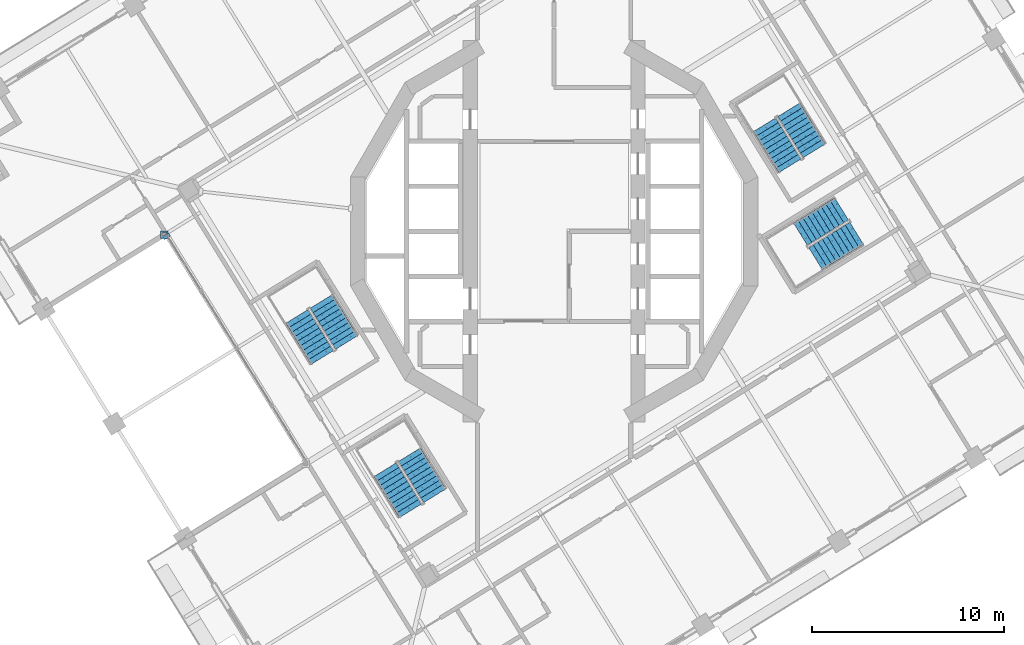
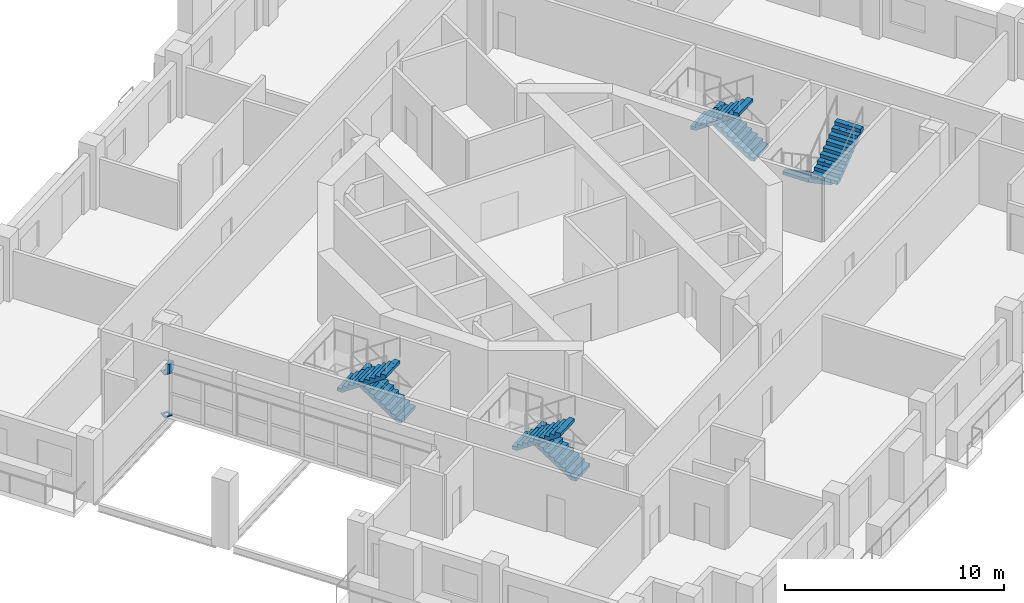
# One storey, part 11 of 20: 8 stair flights, 3 discrete accessories, 4 elements without a shape of their own.
"""IFC4 building model written with IfcOpenShell, lengths in metres."""

import ifcopenshell
import ifcopenshell.guid

model = None  # the IFC model being written
_history = None  # IfcOwnerHistory: only IFC2X3 demands one
_inside = {}  # id of a spatial element -> (the spatial element, [elements in it])
_under = {}  # id of a project, library or spatial element -> (it, [spatial elements below it])
_declared = {}  # id of a project -> (the project, [libraries it declares])
_typed = {}  # id of a type object -> (the type object, [elements of that type])
_made_of = {}  # id of a material, layer set ... -> (it, [elements and type objects made of it])


def new_model(schema):
    """Start an empty IFC model of exactly this schema.

    Asked for "IFC4X3", IfcOpenShell would pick the latest addendum, in which some entities
    have other attributes; the version numbers below select the first issue.
    IFC2X3 requires an IfcOwnerHistory on every rooted entity: one is made here for all.
    """
    global model, _history
    if schema == "IFC4X3":
        model = ifcopenshell.file(schema_version=(4, 3, 0, 0))
    else:
        model = ifcopenshell.file(schema=schema)
    _inside.clear()
    _under.clear()
    _declared.clear()
    _typed.clear()
    _made_of.clear()
    _history = None
    if model.schema == "IFC2X3":
        org = make("IfcOrganization", Name="unknown")
        user = make(
            "IfcPersonAndOrganization",
            ThePerson=make("IfcPerson", FamilyName="unknown"),
            TheOrganization=org,
        )
        app = make(
            "IfcApplication",
            ApplicationDeveloper=org,
            Version="unknown",
            ApplicationFullName="unknown",
            ApplicationIdentifier="unknown",
        )
        _history = make(
            "IfcOwnerHistory",
            OwningUser=user,
            OwningApplication=app,
            ChangeAction="ADDED",
            CreationDate=0,
        )
    return model


def make(cls, **values):
    """One entity of the class cls with the attributes given. An attribute that is None is left unset."""
    return model.create_entity(
        cls, **{name: value for name, value in values.items() if value is not None}
    )


def rooted(cls, **values):
    """An entity with a GlobalId (a new one), such as an element, a storey or a relation."""
    return make(cls, GlobalId=ifcopenshell.guid.new(), OwnerHistory=_history, **values)


def si_unit(unit_type, name, prefix=None):
    """IfcSIUnit, for example si_unit("LENGTHUNIT", "METRE", prefix="MILLI")."""
    return make("IfcSIUnit", UnitType=unit_type, Prefix=prefix, Name=name)


def assignment(units):
    """IfcUnitAssignment: the units of a project."""
    return None if units is None else make("IfcUnitAssignment", Units=units)


def point(xyz):
    """IfcCartesianPoint."""
    return None if xyz is None else make("IfcCartesianPoint", Coordinates=xyz)


def direction(xyz):
    """IfcDirection."""
    return None if xyz is None else make("IfcDirection", DirectionRatios=xyz)


def frame(location, z_axis=None, x_axis=None):
    """IfcAxis2Placement3D, a coordinate frame: its origin and axes. An axis left out is left unset."""
    return make(
        "IfcAxis2Placement3D",
        Location=point(location),
        Axis=direction(z_axis),
        RefDirection=direction(x_axis),
    )


def origin():
    """The frame at (0, 0, 0) with its axes left unset."""
    return frame((0.0, 0.0, 0.0))


def place(relative_to, where):
    """IfcLocalPlacement: puts the frame where relative to a parent placement (None: the world)."""
    return make(
        "IfcLocalPlacement", PlacementRelTo=relative_to, RelativePlacement=where
    )


def context(
    kind, dimensions, precision=None, world=None, true_north=None, identifier=None
):
    """IfcGeometricRepresentationContext, for example the 3D "Model" context."""
    return make(
        "IfcGeometricRepresentationContext",
        ContextIdentifier=identifier,
        ContextType=kind,
        CoordinateSpaceDimension=dimensions,
        Precision=precision,
        WorldCoordinateSystem=world,
        TrueNorth=true_north,
    )


def subcontext(parent, identifier, kind, view, scale=None):
    """IfcGeometricRepresentationSubContext, for example "Body" below "Model"."""
    return make(
        "IfcGeometricRepresentationSubContext",
        ContextIdentifier=identifier,
        ContextType=kind,
        ParentContext=parent,
        TargetScale=scale,
        TargetView=view,
    )


def project(units=None, contexts=None):
    """IfcProject with its units and contexts."""
    return rooted(
        "IfcProject",
        Name="project",
        RepresentationContexts=contexts,
        UnitsInContext=assignment(units),
    )


def spatial(cls, under=None, at=None, **own):
    """A site, building, storey or space (cls), placed at a placement, below another one or the project."""
    s = rooted(cls, ObjectPlacement=at, **own)
    if under is not None:
        _under.setdefault(under.id(), (under, []))[1].append(s)
    return s


def polyline(points):
    """IfcPolyline through the points."""
    return make("IfcPolyline", Points=[point(p) for p in points])


def outline(outer, holes=None, kind="AREA"):
    """IfcArbitraryClosedProfileDef: a profile drawn as a closed curve; with holes, ...WithVoids."""
    if holes is None:
        return make("IfcArbitraryClosedProfileDef", ProfileType=kind, OuterCurve=outer)
    return make(
        "IfcArbitraryProfileDefWithVoids",
        ProfileType=kind,
        OuterCurve=outer,
        InnerCurves=holes,
    )


def extrude(swept, where, along, depth):
    """IfcExtrudedAreaSolid: the profile swept, set in the frame where, extruded along a direction by depth."""
    return make(
        "IfcExtrudedAreaSolid",
        SweptArea=swept,
        Position=where,
        ExtrudedDirection=direction(along),
        Depth=depth,
    )


def shape(context_of_items, identifier, shape_type, items):
    """IfcShapeRepresentation: the items that make up one representation, for example the "Body"."""
    return make(
        "IfcShapeRepresentation",
        ContextOfItems=context_of_items,
        RepresentationIdentifier=identifier,
        RepresentationType=shape_type,
        Items=items,
    )


def material(Name=None, Category=None):
    """IfcMaterial."""
    return make("IfcMaterial", Name=Name, Category=Category)


def layer(
    of_material, thickness, ventilated=None, Name=None, Category=None, Priority=None
):
    """IfcMaterialLayer: one layer of a wall or slab, of a material (None: an air gap)."""
    return make(
        "IfcMaterialLayer",
        Material=of_material,
        LayerThickness=thickness,
        IsVentilated=ventilated,
        Name=Name,
        Category=Category,
        Priority=Priority,
    )


def layer_set(layers, Name=None):
    """IfcMaterialLayerSet."""
    return make("IfcMaterialLayerSet", MaterialLayers=layers, LayerSetName=Name)


def made_of(thing, what):
    """Note that an element or type object is made of a material, layer set ...; save() writes the relation."""
    if what is not None:
        _made_of.setdefault(what.id(), (what, []))[1].append(thing)
    return thing


def type_object(cls, material=None, **own):
    """A type object (cls), such as IfcWallType, which elements share."""
    return made_of(rooted(cls, **own), material)


def element(
    cls,
    number,
    at=None,
    inside=None,
    cuts=None,
    type_object=None,
    material=None,
    context=None,
    identifier="Body",
    shape_type=None,
    held_by="IfcProductDefinitionShape",
    body=None,
    shapes=None,
    **own,
):
    """One element of the class cls, such as IfcWall. Its Tag is "e" and its number.

    at: its placement. inside: the storey or other place that contains it. cuts: it is an
    opening in that element (IfcRelVoidsElement). A single representation is given by context,
    identifier, shape_type and body (its items); several are given by shapes. held_by: the class
    of the entity that holds the representations. save() writes the other relations.
    """
    e = rooted(cls, Tag="e%d" % number, ObjectPlacement=at, **own)
    if body is not None:
        shapes = [shape(context, identifier, shape_type, body)]
    if shapes is not None:
        e.Representation = make(held_by, Representations=shapes)
    if inside is not None:
        _inside.setdefault(inside.id(), (inside, []))[1].append(e)
    if cuts is not None:
        rooted(
            "IfcRelVoidsElement", RelatingBuildingElement=cuts, RelatedOpeningElement=e
        )
    if type_object is not None:
        _typed.setdefault(type_object.id(), (type_object, []))[1].append(e)
    return made_of(e, material)


def aggregate(whole, parts):
    """IfcRelAggregates: a whole, such as a stair, and the parts it consists of."""
    return rooted("IfcRelAggregates", RelatingObject=whole, RelatedObjects=parts)


def save(model, path):
    """Write the relations noted so far, then the file.

    IfcRelAggregates (storeys below a building ...), IfcRelContainedInSpatialStructure (elements
    in a storey), IfcRelDefinesByType, IfcRelAssociatesMaterial and IfcRelDeclares: one each for
    every whole, place, type object, material and project.
    """
    for whole, parts in _under.values():
        aggregate(whole, parts)
    for where, things in _inside.values():
        rooted(
            "IfcRelContainedInSpatialStructure",
            RelatedElements=things,
            RelatingStructure=where,
        )
    for kind, things in _typed.values():
        rooted("IfcRelDefinesByType", RelatedObjects=things, RelatingType=kind)
    for what, things in _made_of.values():
        rooted("IfcRelAssociatesMaterial", RelatedObjects=things, RelatingMaterial=what)
    for by, libraries in _declared.values():
        rooted("IfcRelDeclares", RelatingContext=by, RelatedDefinitions=libraries)
    model.write(path)


model = new_model("IFC4")

# Units and contexts
model_context = context("Model", 3, precision=1e-05, world=origin(), true_north=direction((0.0, 1.0)))
body_context = subcontext(model_context, "Body", "Model", "MODEL_VIEW")
ifc_project = project(units=[si_unit("LENGTHUNIT", "METRE"), si_unit("AREAUNIT", "SQUARE_METRE"), si_unit("VOLUMEUNIT", "CUBIC_METRE"), si_unit("PLANEANGLEUNIT", "RADIAN"), si_unit("MASSUNIT", "GRAM", prefix="KILO")], contexts=[model_context])

# Site, building, storey
site_placement = place(None, origin())
site = spatial("IfcSite", under=ifc_project, at=site_placement, CompositionType="ELEMENT")
building_placement = place(site_placement, origin())
building = spatial("IfcBuilding", under=site, at=building_placement, Name="Cantera Rosa Tower", CompositionType="ELEMENT")
storey_placement = place(building_placement, frame((0.0, 0.0, 155.199951171875)))
storey = spatial("IfcBuildingStorey", under=building, at=storey_placement, Name="L33", CompositionType="ELEMENT", Elevation=155.199951171875)

# Stair, stair flights
ifc_material_1 = material(Name="Concrete C35/45", Category="concrete")
stair_type = type_object("IfcStairType", Name="EXIT STAIR 1350 DOGLEG", PredefinedType="HALF_TURN_STAIR", material=ifc_material_1)
stair_1_placement = place(storey_placement, origin())
stair_1 = element("IfcStair", 1, at=stair_1_placement, inside=storey, type_object=stair_type, Name="L33 ST-31", PredefinedType="HALF_TURN_STAIR")
ifc_material_2 = material(Name="Concrete C35/45", Category="concrete")
stair_flight_type = type_object("IfcStairFlightType", Name="STAIR FLIGHT 1350 R20x190", PredefinedType="STRAIGHT", material=ifc_material_2)
stair_flight_1_placement = place(storey_placement, frame((13.5732421875, 4.2021484375, 0.0), z_axis=(0.0, 0.0, 1.0), x_axis=(-0.524976585286, 0.851116669383, 0.0)))
stair_flight_1 = element("IfcStairFlight", 2, at=stair_flight_1_placement, type_object=stair_flight_type, Name="ST-31 flight 1", NumberOfRisers=10, NumberOfTreads=9, PredefinedType="STRAIGHT", RiserHeight=0.19, TreadLength=0.28, context=body_context, shape_type="SweptSolid", body=[
    extrude(outline(polyline([(0.0, 0.0), (0.0, 0.18994140625), (0.280029296875, 0.18994140625), (0.280029296875, 0.3798828125), (0.56005859375, 0.3798828125), (0.56005859375, 0.570068359375), (0.840087890625, 0.570068359375), (0.840087890625, 0.760009765625), (1.1201171875, 0.760009765625), (1.1201171875, 0.949951171875), (1.39990234375, 0.949951171875), (1.39990234375, 1.139892578125), (1.679931640625, 1.139892578125), (1.679931640625, 1.330078125), (1.9599609375, 1.330078125), (1.9599609375, 1.52001953125), (2.239990234375, 1.52001953125), (2.239990234375, 1.7099609375), (2.52001953125, 1.7099609375), (2.52001953125, 1.89990234375), (2.52001953125, 1.52880859375), (0.266845703125, 0.0), (0.0, 0.0)])), frame((0.0, 0.675048828125, 0.0), z_axis=(0.0, -1.0, 0.0), x_axis=(1.0, 0.0, 0.0)), (0.0, 0.0, 1.0), 0.3359375),
    extrude(outline(polyline([(0.0, 0.0), (0.0, 0.18994140625), (0.280029296875, 0.18994140625), (0.280029296875, 0.3798828125), (0.56005859375, 0.3798828125), (0.56005859375, 0.570068359375), (0.840087890625, 0.570068359375), (0.840087890625, 0.760009765625), (1.1201171875, 0.760009765625), (1.1201171875, 0.949951171875), (1.39990234375, 0.949951171875), (1.39990234375, 1.139892578125), (1.679931640625, 1.139892578125), (1.679931640625, 1.330078125), (1.9599609375, 1.330078125), (1.9599609375, 1.52001953125), (2.239990234375, 1.52001953125), (2.239990234375, 1.7099609375), (2.52001953125, 1.7099609375), (2.52001953125, 1.89990234375), (2.52001953125, 1.52880859375), (0.266845703125, 0.0), (0.0, 0.0)])), frame((0.0, 0.337158203125, 0.0), z_axis=(0.0, -1.0, 0.0), x_axis=(1.0, 0.0, 0.0)), (0.0, 0.0, 1.0), 0.3359375),
    extrude(outline(polyline([(0.0, 0.0), (0.0, 0.18994140625), (0.280029296875, 0.18994140625), (0.280029296875, 0.3798828125), (0.56005859375, 0.3798828125), (0.56005859375, 0.570068359375), (0.840087890625, 0.570068359375), (0.840087890625, 0.760009765625), (1.1201171875, 0.760009765625), (1.1201171875, 0.949951171875), (1.39990234375, 0.949951171875), (1.39990234375, 1.139892578125), (1.679931640625, 1.139892578125), (1.679931640625, 1.330078125), (1.9599609375, 1.330078125), (1.9599609375, 1.52001953125), (2.239990234375, 1.52001953125), (2.239990234375, 1.7099609375), (2.52001953125, 1.7099609375), (2.52001953125, 1.89990234375), (2.52001953125, 1.52880859375), (0.266845703125, 0.0), (0.0, 0.0)])), frame((0.0, -0.000732421875, 0.0), z_axis=(0.0, -1.0, 0.0), x_axis=(1.0, 0.0, 0.0)), (0.0, 0.0, 1.0), 0.3359375),
    extrude(outline(polyline([(0.0, 0.0), (0.0, 0.18994140625), (0.280029296875, 0.18994140625), (0.280029296875, 0.3798828125), (0.56005859375, 0.3798828125), (0.56005859375, 0.570068359375), (0.840087890625, 0.570068359375), (0.840087890625, 0.760009765625), (1.1201171875, 0.760009765625), (1.1201171875, 0.949951171875), (1.39990234375, 0.949951171875), (1.39990234375, 1.139892578125), (1.679931640625, 1.139892578125), (1.679931640625, 1.330078125), (1.9599609375, 1.330078125), (1.9599609375, 1.52001953125), (2.239990234375, 1.52001953125), (2.239990234375, 1.7099609375), (2.52001953125, 1.7099609375), (2.52001953125, 1.89990234375), (2.52001953125, 1.52880859375), (0.266845703125, 0.0), (0.0, 0.0)])), frame((0.0, -0.338623046875, 0.0), z_axis=(0.0, -1.0, 0.0), x_axis=(1.0, 0.0, 0.0)), (0.0, 0.0, 1.0), 0.3359375),
])
stair_flight_2_placement = place(storey_placement, frame((10.9736328125, 5.5595703125, 1.900146484375), z_axis=(0.0, 0.0, 1.0), x_axis=(0.524976585286, -0.851116669383, 0.0)))
stair_flight_2 = element("IfcStairFlight", 3, at=stair_flight_2_placement, type_object=stair_flight_type, Name="ST-31 flight 2", NumberOfRisers=10, NumberOfTreads=9, PredefinedType="STRAIGHT", RiserHeight=0.19, TreadLength=0.28, context=body_context, shape_type="SweptSolid", body=[
    extrude(outline(polyline([(0.0, 0.0), (0.0, 0.18994140625), (0.280029296875, 0.18994140625), (0.280029296875, 0.3798828125), (0.56005859375, 0.3798828125), (0.56005859375, 0.570068359375), (0.840087890625, 0.570068359375), (0.840087890625, 0.760009765625), (1.1201171875, 0.760009765625), (1.1201171875, 0.949951171875), (1.39990234375, 0.949951171875), (1.39990234375, 1.139892578125), (1.679931640625, 1.139892578125), (1.679931640625, 1.330078125), (1.9599609375, 1.330078125), (1.9599609375, 1.52001953125), (2.239990234375, 1.52001953125), (2.239990234375, 1.7099609375), (2.52001953125, 1.7099609375), (2.52001953125, 1.89990234375), (2.52001953125, 1.52880859375), (0.266845703125, 0.0), (0.0, 0.0)])), frame((0.0, 0.675048828125, 0.0), z_axis=(0.0, -1.0, 0.0), x_axis=(1.0, 0.0, 0.0)), (0.0, 0.0, 1.0), 0.3359375),
    extrude(outline(polyline([(0.0, 0.0), (0.0, 0.18994140625), (0.280029296875, 0.18994140625), (0.280029296875, 0.3798828125), (0.56005859375, 0.3798828125), (0.56005859375, 0.570068359375), (0.840087890625, 0.570068359375), (0.840087890625, 0.760009765625), (1.1201171875, 0.760009765625), (1.1201171875, 0.949951171875), (1.39990234375, 0.949951171875), (1.39990234375, 1.139892578125), (1.679931640625, 1.139892578125), (1.679931640625, 1.330078125), (1.9599609375, 1.330078125), (1.9599609375, 1.52001953125), (2.239990234375, 1.52001953125), (2.239990234375, 1.7099609375), (2.52001953125, 1.7099609375), (2.52001953125, 1.89990234375), (2.52001953125, 1.52880859375), (0.266845703125, 0.0), (0.0, 0.0)])), frame((0.0, 0.337158203125, 0.0), z_axis=(0.0, -1.0, 0.0), x_axis=(1.0, 0.0, 0.0)), (0.0, 0.0, 1.0), 0.3359375),
    extrude(outline(polyline([(0.0, 0.0), (0.0, 0.18994140625), (0.280029296875, 0.18994140625), (0.280029296875, 0.3798828125), (0.56005859375, 0.3798828125), (0.56005859375, 0.570068359375), (0.840087890625, 0.570068359375), (0.840087890625, 0.760009765625), (1.1201171875, 0.760009765625), (1.1201171875, 0.949951171875), (1.39990234375, 0.949951171875), (1.39990234375, 1.139892578125), (1.679931640625, 1.139892578125), (1.679931640625, 1.330078125), (1.9599609375, 1.330078125), (1.9599609375, 1.52001953125), (2.239990234375, 1.52001953125), (2.239990234375, 1.7099609375), (2.52001953125, 1.7099609375), (2.52001953125, 1.89990234375), (2.52001953125, 1.52880859375), (0.266845703125, 0.0), (0.0, 0.0)])), frame((0.0, -0.000732421875, 0.0), z_axis=(0.0, -1.0, 0.0), x_axis=(1.0, 0.0, 0.0)), (0.0, 0.0, 1.0), 0.3359375),
    extrude(outline(polyline([(0.0, 0.0), (0.0, 0.18994140625), (0.280029296875, 0.18994140625), (0.280029296875, 0.3798828125), (0.56005859375, 0.3798828125), (0.56005859375, 0.570068359375), (0.840087890625, 0.570068359375), (0.840087890625, 0.760009765625), (1.1201171875, 0.760009765625), (1.1201171875, 0.949951171875), (1.39990234375, 0.949951171875), (1.39990234375, 1.139892578125), (1.679931640625, 1.139892578125), (1.679931640625, 1.330078125), (1.9599609375, 1.330078125), (1.9599609375, 1.52001953125), (2.239990234375, 1.52001953125), (2.239990234375, 1.7099609375), (2.52001953125, 1.7099609375), (2.52001953125, 1.89990234375), (2.52001953125, 1.52880859375), (0.266845703125, 0.0), (0.0, 0.0)])), frame((0.0, -0.338623046875, 0.0), z_axis=(0.0, -1.0, 0.0), x_axis=(1.0, 0.0, 0.0)), (0.0, 0.0, 1.0), 0.3359375),
])
aggregate(stair_1, [stair_flight_1, stair_flight_2])

stair_2_placement = place(storey_placement, origin())
stair_2 = element("IfcStair", 4, at=stair_2_placement, inside=storey, type_object=stair_type, Name="L33 ST-32", PredefinedType="HALF_TURN_STAIR")
stair_flight_3_placement = place(storey_placement, frame((-10.82666015625, -5.7978515625, 0.0), z_axis=(0.0, 0.0, 1.0), x_axis=(-0.524976585286, 0.851116669383, 0.0)))
stair_flight_3 = element("IfcStairFlight", 5, at=stair_flight_3_placement, type_object=stair_flight_type, Name="ST-32 flight 1", NumberOfRisers=10, NumberOfTreads=9, PredefinedType="STRAIGHT", RiserHeight=0.19, TreadLength=0.28, context=body_context, shape_type="SweptSolid", body=[
    extrude(outline(polyline([(0.0, 0.0), (0.0, 0.18994140625), (0.280029296875, 0.18994140625), (0.280029296875, 0.3798828125), (0.56005859375, 0.3798828125), (0.56005859375, 0.570068359375), (0.840087890625, 0.570068359375), (0.840087890625, 0.760009765625), (1.1201171875, 0.760009765625), (1.1201171875, 0.949951171875), (1.39990234375, 0.949951171875), (1.39990234375, 1.139892578125), (1.679931640625, 1.139892578125), (1.679931640625, 1.330078125), (1.9599609375, 1.330078125), (1.9599609375, 1.52001953125), (2.239990234375, 1.52001953125), (2.239990234375, 1.7099609375), (2.52001953125, 1.7099609375), (2.52001953125, 1.89990234375), (2.52001953125, 1.52880859375), (0.266845703125, 0.0), (0.0, 0.0)])), frame((0.0, 0.675048828125, 0.0), z_axis=(0.0, -1.0, 0.0), x_axis=(1.0, 0.0, 0.0)), (0.0, 0.0, 1.0), 0.3359375),
    extrude(outline(polyline([(0.0, 0.0), (0.0, 0.18994140625), (0.280029296875, 0.18994140625), (0.280029296875, 0.3798828125), (0.56005859375, 0.3798828125), (0.56005859375, 0.570068359375), (0.840087890625, 0.570068359375), (0.840087890625, 0.760009765625), (1.1201171875, 0.760009765625), (1.1201171875, 0.949951171875), (1.39990234375, 0.949951171875), (1.39990234375, 1.139892578125), (1.679931640625, 1.139892578125), (1.679931640625, 1.330078125), (1.9599609375, 1.330078125), (1.9599609375, 1.52001953125), (2.239990234375, 1.52001953125), (2.239990234375, 1.7099609375), (2.52001953125, 1.7099609375), (2.52001953125, 1.89990234375), (2.52001953125, 1.52880859375), (0.266845703125, 0.0), (0.0, 0.0)])), frame((0.0, 0.337158203125, 0.0), z_axis=(0.0, -1.0, 0.0), x_axis=(1.0, 0.0, 0.0)), (0.0, 0.0, 1.0), 0.3359375),
    extrude(outline(polyline([(0.0, 0.0), (0.0, 0.18994140625), (0.280029296875, 0.18994140625), (0.280029296875, 0.3798828125), (0.56005859375, 0.3798828125), (0.56005859375, 0.570068359375), (0.840087890625, 0.570068359375), (0.840087890625, 0.760009765625), (1.1201171875, 0.760009765625), (1.1201171875, 0.949951171875), (1.39990234375, 0.949951171875), (1.39990234375, 1.139892578125), (1.679931640625, 1.139892578125), (1.679931640625, 1.330078125), (1.9599609375, 1.330078125), (1.9599609375, 1.52001953125), (2.239990234375, 1.52001953125), (2.239990234375, 1.7099609375), (2.52001953125, 1.7099609375), (2.52001953125, 1.89990234375), (2.52001953125, 1.52880859375), (0.266845703125, 0.0), (0.0, 0.0)])), frame((0.0, -0.000732421875, 0.0), z_axis=(0.0, -1.0, 0.0), x_axis=(1.0, 0.0, 0.0)), (0.0, 0.0, 1.0), 0.3359375),
    extrude(outline(polyline([(0.0, 0.0), (0.0, 0.18994140625), (0.280029296875, 0.18994140625), (0.280029296875, 0.3798828125), (0.56005859375, 0.3798828125), (0.56005859375, 0.570068359375), (0.840087890625, 0.570068359375), (0.840087890625, 0.760009765625), (1.1201171875, 0.760009765625), (1.1201171875, 0.949951171875), (1.39990234375, 0.949951171875), (1.39990234375, 1.139892578125), (1.679931640625, 1.139892578125), (1.679931640625, 1.330078125), (1.9599609375, 1.330078125), (1.9599609375, 1.52001953125), (2.239990234375, 1.52001953125), (2.239990234375, 1.7099609375), (2.52001953125, 1.7099609375), (2.52001953125, 1.89990234375), (2.52001953125, 1.52880859375), (0.266845703125, 0.0), (0.0, 0.0)])), frame((0.0, -0.338623046875, 0.0), z_axis=(0.0, -1.0, 0.0), x_axis=(1.0, 0.0, 0.0)), (0.0, 0.0, 1.0), 0.3359375),
])
stair_flight_4_placement = place(storey_placement, frame((-13.42626953125, -4.4404296875, 1.900146484375), z_axis=(0.0, 0.0, 1.0), x_axis=(0.524976585286, -0.851116669383, 0.0)))
stair_flight_4 = element("IfcStairFlight", 6, at=stair_flight_4_placement, type_object=stair_flight_type, Name="ST-32 flight 2", NumberOfRisers=10, NumberOfTreads=9, PredefinedType="STRAIGHT", RiserHeight=0.19, TreadLength=0.28, context=body_context, shape_type="SweptSolid", body=[
    extrude(outline(polyline([(0.0, 0.0), (0.0, 0.18994140625), (0.280029296875, 0.18994140625), (0.280029296875, 0.3798828125), (0.56005859375, 0.3798828125), (0.56005859375, 0.570068359375), (0.840087890625, 0.570068359375), (0.840087890625, 0.760009765625), (1.1201171875, 0.760009765625), (1.1201171875, 0.949951171875), (1.39990234375, 0.949951171875), (1.39990234375, 1.139892578125), (1.679931640625, 1.139892578125), (1.679931640625, 1.330078125), (1.9599609375, 1.330078125), (1.9599609375, 1.52001953125), (2.239990234375, 1.52001953125), (2.239990234375, 1.7099609375), (2.52001953125, 1.7099609375), (2.52001953125, 1.89990234375), (2.52001953125, 1.52880859375), (0.266845703125, 0.0), (0.0, 0.0)])), frame((0.0, 0.675048828125, 0.0), z_axis=(0.0, -1.0, 0.0), x_axis=(1.0, 0.0, 0.0)), (0.0, 0.0, 1.0), 0.3359375),
    extrude(outline(polyline([(0.0, 0.0), (0.0, 0.18994140625), (0.280029296875, 0.18994140625), (0.280029296875, 0.3798828125), (0.56005859375, 0.3798828125), (0.56005859375, 0.570068359375), (0.840087890625, 0.570068359375), (0.840087890625, 0.760009765625), (1.1201171875, 0.760009765625), (1.1201171875, 0.949951171875), (1.39990234375, 0.949951171875), (1.39990234375, 1.139892578125), (1.679931640625, 1.139892578125), (1.679931640625, 1.330078125), (1.9599609375, 1.330078125), (1.9599609375, 1.52001953125), (2.239990234375, 1.52001953125), (2.239990234375, 1.7099609375), (2.52001953125, 1.7099609375), (2.52001953125, 1.89990234375), (2.52001953125, 1.52880859375), (0.266845703125, 0.0), (0.0, 0.0)])), frame((0.0, 0.337158203125, 0.0), z_axis=(0.0, -1.0, 0.0), x_axis=(1.0, 0.0, 0.0)), (0.0, 0.0, 1.0), 0.3359375),
    extrude(outline(polyline([(0.0, 0.0), (0.0, 0.18994140625), (0.280029296875, 0.18994140625), (0.280029296875, 0.3798828125), (0.56005859375, 0.3798828125), (0.56005859375, 0.570068359375), (0.840087890625, 0.570068359375), (0.840087890625, 0.760009765625), (1.1201171875, 0.760009765625), (1.1201171875, 0.949951171875), (1.39990234375, 0.949951171875), (1.39990234375, 1.139892578125), (1.679931640625, 1.139892578125), (1.679931640625, 1.330078125), (1.9599609375, 1.330078125), (1.9599609375, 1.52001953125), (2.239990234375, 1.52001953125), (2.239990234375, 1.7099609375), (2.52001953125, 1.7099609375), (2.52001953125, 1.89990234375), (2.52001953125, 1.52880859375), (0.266845703125, 0.0), (0.0, 0.0)])), frame((0.0, -0.000732421875, 0.0), z_axis=(0.0, -1.0, 0.0), x_axis=(1.0, 0.0, 0.0)), (0.0, 0.0, 1.0), 0.3359375),
    extrude(outline(polyline([(0.0, 0.0), (0.0, 0.18994140625), (0.280029296875, 0.18994140625), (0.280029296875, 0.3798828125), (0.56005859375, 0.3798828125), (0.56005859375, 0.570068359375), (0.840087890625, 0.570068359375), (0.840087890625, 0.760009765625), (1.1201171875, 0.760009765625), (1.1201171875, 0.949951171875), (1.39990234375, 0.949951171875), (1.39990234375, 1.139892578125), (1.679931640625, 1.139892578125), (1.679931640625, 1.330078125), (1.9599609375, 1.330078125), (1.9599609375, 1.52001953125), (2.239990234375, 1.52001953125), (2.239990234375, 1.7099609375), (2.52001953125, 1.7099609375), (2.52001953125, 1.89990234375), (2.52001953125, 1.52880859375), (0.266845703125, 0.0), (0.0, 0.0)])), frame((0.0, -0.338623046875, 0.0), z_axis=(0.0, -1.0, 0.0), x_axis=(1.0, 0.0, 0.0)), (0.0, 0.0, 1.0), 0.3359375),
])
aggregate(stair_2, [stair_flight_3, stair_flight_4])

stair_3_placement = place(storey_placement, origin())
stair_3 = element("IfcStair", 7, at=stair_3_placement, inside=storey, type_object=stair_type, Name="L33 ST-33", PredefinedType="HALF_TURN_STAIR")
stair_flight_5_placement = place(storey_placement, frame((-6.226806640625, -13.7978515625, 0.0), z_axis=(0.0, 0.0, 1.0), x_axis=(-0.524976585286, 0.851116669383, 0.0)))
stair_flight_5 = element("IfcStairFlight", 8, at=stair_flight_5_placement, type_object=stair_flight_type, Name="ST-33 flight 1", NumberOfRisers=10, NumberOfTreads=9, PredefinedType="STRAIGHT", RiserHeight=0.19, TreadLength=0.28, context=body_context, shape_type="SweptSolid", body=[
    extrude(outline(polyline([(0.0, 0.0), (0.0, 0.18994140625), (0.280029296875, 0.18994140625), (0.280029296875, 0.3798828125), (0.56005859375, 0.3798828125), (0.56005859375, 0.570068359375), (0.840087890625, 0.570068359375), (0.840087890625, 0.760009765625), (1.1201171875, 0.760009765625), (1.1201171875, 0.949951171875), (1.39990234375, 0.949951171875), (1.39990234375, 1.139892578125), (1.679931640625, 1.139892578125), (1.679931640625, 1.330078125), (1.9599609375, 1.330078125), (1.9599609375, 1.52001953125), (2.239990234375, 1.52001953125), (2.239990234375, 1.7099609375), (2.52001953125, 1.7099609375), (2.52001953125, 1.89990234375), (2.52001953125, 1.52880859375), (0.266845703125, 0.0), (0.0, 0.0)])), frame((0.0, 0.675048828125, 0.0), z_axis=(0.0, -1.0, 0.0), x_axis=(1.0, 0.0, 0.0)), (0.0, 0.0, 1.0), 0.3359375),
    extrude(outline(polyline([(0.0, 0.0), (0.0, 0.18994140625), (0.280029296875, 0.18994140625), (0.280029296875, 0.3798828125), (0.56005859375, 0.3798828125), (0.56005859375, 0.570068359375), (0.840087890625, 0.570068359375), (0.840087890625, 0.760009765625), (1.1201171875, 0.760009765625), (1.1201171875, 0.949951171875), (1.39990234375, 0.949951171875), (1.39990234375, 1.139892578125), (1.679931640625, 1.139892578125), (1.679931640625, 1.330078125), (1.9599609375, 1.330078125), (1.9599609375, 1.52001953125), (2.239990234375, 1.52001953125), (2.239990234375, 1.7099609375), (2.52001953125, 1.7099609375), (2.52001953125, 1.89990234375), (2.52001953125, 1.52880859375), (0.266845703125, 0.0), (0.0, 0.0)])), frame((0.0, 0.337158203125, 0.0), z_axis=(0.0, -1.0, 0.0), x_axis=(1.0, 0.0, 0.0)), (0.0, 0.0, 1.0), 0.3359375),
    extrude(outline(polyline([(0.0, 0.0), (0.0, 0.18994140625), (0.280029296875, 0.18994140625), (0.280029296875, 0.3798828125), (0.56005859375, 0.3798828125), (0.56005859375, 0.570068359375), (0.840087890625, 0.570068359375), (0.840087890625, 0.760009765625), (1.1201171875, 0.760009765625), (1.1201171875, 0.949951171875), (1.39990234375, 0.949951171875), (1.39990234375, 1.139892578125), (1.679931640625, 1.139892578125), (1.679931640625, 1.330078125), (1.9599609375, 1.330078125), (1.9599609375, 1.52001953125), (2.239990234375, 1.52001953125), (2.239990234375, 1.7099609375), (2.52001953125, 1.7099609375), (2.52001953125, 1.89990234375), (2.52001953125, 1.52880859375), (0.266845703125, 0.0), (0.0, 0.0)])), frame((0.0, -0.000732421875, 0.0), z_axis=(0.0, -1.0, 0.0), x_axis=(1.0, 0.0, 0.0)), (0.0, 0.0, 1.0), 0.3359375),
    extrude(outline(polyline([(0.0, 0.0), (0.0, 0.18994140625), (0.280029296875, 0.18994140625), (0.280029296875, 0.3798828125), (0.56005859375, 0.3798828125), (0.56005859375, 0.570068359375), (0.840087890625, 0.570068359375), (0.840087890625, 0.760009765625), (1.1201171875, 0.760009765625), (1.1201171875, 0.949951171875), (1.39990234375, 0.949951171875), (1.39990234375, 1.139892578125), (1.679931640625, 1.139892578125), (1.679931640625, 1.330078125), (1.9599609375, 1.330078125), (1.9599609375, 1.52001953125), (2.239990234375, 1.52001953125), (2.239990234375, 1.7099609375), (2.52001953125, 1.7099609375), (2.52001953125, 1.89990234375), (2.52001953125, 1.52880859375), (0.266845703125, 0.0), (0.0, 0.0)])), frame((0.0, -0.338623046875, 0.0), z_axis=(0.0, -1.0, 0.0), x_axis=(1.0, 0.0, 0.0)), (0.0, 0.0, 1.0), 0.3359375),
])
stair_flight_6_placement = place(storey_placement, frame((-8.826416015625, -12.4404296875, 1.900146484375), z_axis=(0.0, 0.0, 1.0), x_axis=(0.524976585286, -0.851116669383, 0.0)))
stair_flight_6 = element("IfcStairFlight", 9, at=stair_flight_6_placement, type_object=stair_flight_type, Name="ST-33 flight 2", NumberOfRisers=10, NumberOfTreads=9, PredefinedType="STRAIGHT", RiserHeight=0.19, TreadLength=0.28, context=body_context, shape_type="SweptSolid", body=[
    extrude(outline(polyline([(0.0, 0.0), (0.0, 0.18994140625), (0.280029296875, 0.18994140625), (0.280029296875, 0.3798828125), (0.56005859375, 0.3798828125), (0.56005859375, 0.570068359375), (0.840087890625, 0.570068359375), (0.840087890625, 0.760009765625), (1.1201171875, 0.760009765625), (1.1201171875, 0.949951171875), (1.39990234375, 0.949951171875), (1.39990234375, 1.139892578125), (1.679931640625, 1.139892578125), (1.679931640625, 1.330078125), (1.9599609375, 1.330078125), (1.9599609375, 1.52001953125), (2.239990234375, 1.52001953125), (2.239990234375, 1.7099609375), (2.52001953125, 1.7099609375), (2.52001953125, 1.89990234375), (2.52001953125, 1.52880859375), (0.266845703125, 0.0), (0.0, 0.0)])), frame((0.0, 0.675048828125, 0.0), z_axis=(0.0, -1.0, 0.0), x_axis=(1.0, 0.0, 0.0)), (0.0, 0.0, 1.0), 0.3359375),
    extrude(outline(polyline([(0.0, 0.0), (0.0, 0.18994140625), (0.280029296875, 0.18994140625), (0.280029296875, 0.3798828125), (0.56005859375, 0.3798828125), (0.56005859375, 0.570068359375), (0.840087890625, 0.570068359375), (0.840087890625, 0.760009765625), (1.1201171875, 0.760009765625), (1.1201171875, 0.949951171875), (1.39990234375, 0.949951171875), (1.39990234375, 1.139892578125), (1.679931640625, 1.139892578125), (1.679931640625, 1.330078125), (1.9599609375, 1.330078125), (1.9599609375, 1.52001953125), (2.239990234375, 1.52001953125), (2.239990234375, 1.7099609375), (2.52001953125, 1.7099609375), (2.52001953125, 1.89990234375), (2.52001953125, 1.52880859375), (0.266845703125, 0.0), (0.0, 0.0)])), frame((0.0, 0.337158203125, 0.0), z_axis=(0.0, -1.0, 0.0), x_axis=(1.0, 0.0, 0.0)), (0.0, 0.0, 1.0), 0.3359375),
    extrude(outline(polyline([(0.0, 0.0), (0.0, 0.18994140625), (0.280029296875, 0.18994140625), (0.280029296875, 0.3798828125), (0.56005859375, 0.3798828125), (0.56005859375, 0.570068359375), (0.840087890625, 0.570068359375), (0.840087890625, 0.760009765625), (1.1201171875, 0.760009765625), (1.1201171875, 0.949951171875), (1.39990234375, 0.949951171875), (1.39990234375, 1.139892578125), (1.679931640625, 1.139892578125), (1.679931640625, 1.330078125), (1.9599609375, 1.330078125), (1.9599609375, 1.52001953125), (2.239990234375, 1.52001953125), (2.239990234375, 1.7099609375), (2.52001953125, 1.7099609375), (2.52001953125, 1.89990234375), (2.52001953125, 1.52880859375), (0.266845703125, 0.0), (0.0, 0.0)])), frame((0.0, -0.000732421875, 0.0), z_axis=(0.0, -1.0, 0.0), x_axis=(1.0, 0.0, 0.0)), (0.0, 0.0, 1.0), 0.3359375),
    extrude(outline(polyline([(0.0, 0.0), (0.0, 0.18994140625), (0.280029296875, 0.18994140625), (0.280029296875, 0.3798828125), (0.56005859375, 0.3798828125), (0.56005859375, 0.570068359375), (0.840087890625, 0.570068359375), (0.840087890625, 0.760009765625), (1.1201171875, 0.760009765625), (1.1201171875, 0.949951171875), (1.39990234375, 0.949951171875), (1.39990234375, 1.139892578125), (1.679931640625, 1.139892578125), (1.679931640625, 1.330078125), (1.9599609375, 1.330078125), (1.9599609375, 1.52001953125), (2.239990234375, 1.52001953125), (2.239990234375, 1.7099609375), (2.52001953125, 1.7099609375), (2.52001953125, 1.89990234375), (2.52001953125, 1.52880859375), (0.266845703125, 0.0), (0.0, 0.0)])), frame((0.0, -0.338623046875, 0.0), z_axis=(0.0, -1.0, 0.0), x_axis=(1.0, 0.0, 0.0)), (0.0, 0.0, 1.0), 0.3359375),
])
aggregate(stair_3, [stair_flight_5, stair_flight_6])

stair_4_placement = place(storey_placement, origin())
stair_4 = element("IfcStair", 10, at=stair_4_placement, inside=storey, type_object=stair_type, Name="L33 ST-34", PredefinedType="HALF_TURN_STAIR")
stair_flight_7_placement = place(storey_placement, frame((14.997802734375, 1.17333984375, 0.0), z_axis=(0.0, 0.0, 1.0), x_axis=(-0.851116669383, -0.524976585286, 0.0)))
stair_flight_7 = element("IfcStairFlight", 11, at=stair_flight_7_placement, type_object=stair_flight_type, Name="ST-34 flight 1", NumberOfRisers=10, NumberOfTreads=9, PredefinedType="STRAIGHT", RiserHeight=0.19, TreadLength=0.28, context=body_context, shape_type="SweptSolid", body=[
    extrude(outline(polyline([(0.0, 0.0), (0.0, 0.18994140625), (0.280029296875, 0.18994140625), (0.280029296875, 0.3798828125), (0.56005859375, 0.3798828125), (0.56005859375, 0.570068359375), (0.840087890625, 0.570068359375), (0.840087890625, 0.760009765625), (1.1201171875, 0.760009765625), (1.1201171875, 0.949951171875), (1.39990234375, 0.949951171875), (1.39990234375, 1.139892578125), (1.679931640625, 1.139892578125), (1.679931640625, 1.330078125), (1.9599609375, 1.330078125), (1.9599609375, 1.52001953125), (2.239990234375, 1.52001953125), (2.239990234375, 1.7099609375), (2.52001953125, 1.7099609375), (2.52001953125, 1.89990234375), (2.52001953125, 1.52880859375), (0.266845703125, 0.0), (0.0, 0.0)])), frame((0.0, 0.675048828125, 0.0), z_axis=(0.0, -1.0, 0.0), x_axis=(1.0, 0.0, 0.0)), (0.0, 0.0, 1.0), 0.3359375),
    extrude(outline(polyline([(0.0, 0.0), (0.0, 0.18994140625), (0.280029296875, 0.18994140625), (0.280029296875, 0.3798828125), (0.56005859375, 0.3798828125), (0.56005859375, 0.570068359375), (0.840087890625, 0.570068359375), (0.840087890625, 0.760009765625), (1.1201171875, 0.760009765625), (1.1201171875, 0.949951171875), (1.39990234375, 0.949951171875), (1.39990234375, 1.139892578125), (1.679931640625, 1.139892578125), (1.679931640625, 1.330078125), (1.9599609375, 1.330078125), (1.9599609375, 1.52001953125), (2.239990234375, 1.52001953125), (2.239990234375, 1.7099609375), (2.52001953125, 1.7099609375), (2.52001953125, 1.89990234375), (2.52001953125, 1.52880859375), (0.266845703125, 0.0), (0.0, 0.0)])), frame((0.0, 0.337158203125, 0.0), z_axis=(0.0, -1.0, 0.0), x_axis=(1.0, 0.0, 0.0)), (0.0, 0.0, 1.0), 0.3359375),
    extrude(outline(polyline([(0.0, 0.0), (0.0, 0.18994140625), (0.280029296875, 0.18994140625), (0.280029296875, 0.3798828125), (0.56005859375, 0.3798828125), (0.56005859375, 0.570068359375), (0.840087890625, 0.570068359375), (0.840087890625, 0.760009765625), (1.1201171875, 0.760009765625), (1.1201171875, 0.949951171875), (1.39990234375, 0.949951171875), (1.39990234375, 1.139892578125), (1.679931640625, 1.139892578125), (1.679931640625, 1.330078125), (1.9599609375, 1.330078125), (1.9599609375, 1.52001953125), (2.239990234375, 1.52001953125), (2.239990234375, 1.7099609375), (2.52001953125, 1.7099609375), (2.52001953125, 1.89990234375), (2.52001953125, 1.52880859375), (0.266845703125, 0.0), (0.0, 0.0)])), frame((0.0, -0.000732421875, 0.0), z_axis=(0.0, -1.0, 0.0), x_axis=(1.0, 0.0, 0.0)), (0.0, 0.0, 1.0), 0.3359375),
    extrude(outline(polyline([(0.0, 0.0), (0.0, 0.18994140625), (0.280029296875, 0.18994140625), (0.280029296875, 0.3798828125), (0.56005859375, 0.3798828125), (0.56005859375, 0.570068359375), (0.840087890625, 0.570068359375), (0.840087890625, 0.760009765625), (1.1201171875, 0.760009765625), (1.1201171875, 0.949951171875), (1.39990234375, 0.949951171875), (1.39990234375, 1.139892578125), (1.679931640625, 1.139892578125), (1.679931640625, 1.330078125), (1.9599609375, 1.330078125), (1.9599609375, 1.52001953125), (2.239990234375, 1.52001953125), (2.239990234375, 1.7099609375), (2.52001953125, 1.7099609375), (2.52001953125, 1.89990234375), (2.52001953125, 1.52880859375), (0.266845703125, 0.0), (0.0, 0.0)])), frame((0.0, -0.338623046875, 0.0), z_axis=(0.0, -1.0, 0.0), x_axis=(1.0, 0.0, 0.0)), (0.0, 0.0, 1.0), 0.3359375),
])
stair_flight_8_placement = place(storey_placement, frame((13.640380859375, -1.42626953125, 1.900146484375), z_axis=(0.0, 0.0, 1.0), x_axis=(0.851116669383, 0.524976585286, 0.0)))
stair_flight_8 = element("IfcStairFlight", 12, at=stair_flight_8_placement, type_object=stair_flight_type, Name="ST-34 flight 2", NumberOfRisers=10, NumberOfTreads=9, PredefinedType="STRAIGHT", RiserHeight=0.19, TreadLength=0.28, context=body_context, shape_type="SweptSolid", body=[
    extrude(outline(polyline([(0.0, 0.0), (0.0, 0.18994140625), (0.280029296875, 0.18994140625), (0.280029296875, 0.3798828125), (0.56005859375, 0.3798828125), (0.56005859375, 0.570068359375), (0.840087890625, 0.570068359375), (0.840087890625, 0.760009765625), (1.1201171875, 0.760009765625), (1.1201171875, 0.949951171875), (1.39990234375, 0.949951171875), (1.39990234375, 1.139892578125), (1.679931640625, 1.139892578125), (1.679931640625, 1.330078125), (1.9599609375, 1.330078125), (1.9599609375, 1.52001953125), (2.239990234375, 1.52001953125), (2.239990234375, 1.7099609375), (2.52001953125, 1.7099609375), (2.52001953125, 1.89990234375), (2.52001953125, 1.52880859375), (0.266845703125, 0.0), (0.0, 0.0)])), frame((0.0, 0.675048828125, 0.0), z_axis=(0.0, -1.0, 0.0), x_axis=(1.0, 0.0, 0.0)), (0.0, 0.0, 1.0), 0.3359375),
    extrude(outline(polyline([(0.0, 0.0), (0.0, 0.18994140625), (0.280029296875, 0.18994140625), (0.280029296875, 0.3798828125), (0.56005859375, 0.3798828125), (0.56005859375, 0.570068359375), (0.840087890625, 0.570068359375), (0.840087890625, 0.760009765625), (1.1201171875, 0.760009765625), (1.1201171875, 0.949951171875), (1.39990234375, 0.949951171875), (1.39990234375, 1.139892578125), (1.679931640625, 1.139892578125), (1.679931640625, 1.330078125), (1.9599609375, 1.330078125), (1.9599609375, 1.52001953125), (2.239990234375, 1.52001953125), (2.239990234375, 1.7099609375), (2.52001953125, 1.7099609375), (2.52001953125, 1.89990234375), (2.52001953125, 1.52880859375), (0.266845703125, 0.0), (0.0, 0.0)])), frame((0.0, 0.337158203125, 0.0), z_axis=(0.0, -1.0, 0.0), x_axis=(1.0, 0.0, 0.0)), (0.0, 0.0, 1.0), 0.3359375),
    extrude(outline(polyline([(0.0, 0.0), (0.0, 0.18994140625), (0.280029296875, 0.18994140625), (0.280029296875, 0.3798828125), (0.56005859375, 0.3798828125), (0.56005859375, 0.570068359375), (0.840087890625, 0.570068359375), (0.840087890625, 0.760009765625), (1.1201171875, 0.760009765625), (1.1201171875, 0.949951171875), (1.39990234375, 0.949951171875), (1.39990234375, 1.139892578125), (1.679931640625, 1.139892578125), (1.679931640625, 1.330078125), (1.9599609375, 1.330078125), (1.9599609375, 1.52001953125), (2.239990234375, 1.52001953125), (2.239990234375, 1.7099609375), (2.52001953125, 1.7099609375), (2.52001953125, 1.89990234375), (2.52001953125, 1.52880859375), (0.266845703125, 0.0), (0.0, 0.0)])), frame((0.0, -0.000732421875, 0.0), z_axis=(0.0, -1.0, 0.0), x_axis=(1.0, 0.0, 0.0)), (0.0, 0.0, 1.0), 0.3359375),
    extrude(outline(polyline([(0.0, 0.0), (0.0, 0.18994140625), (0.280029296875, 0.18994140625), (0.280029296875, 0.3798828125), (0.56005859375, 0.3798828125), (0.56005859375, 0.570068359375), (0.840087890625, 0.570068359375), (0.840087890625, 0.760009765625), (1.1201171875, 0.760009765625), (1.1201171875, 0.949951171875), (1.39990234375, 0.949951171875), (1.39990234375, 1.139892578125), (1.679931640625, 1.139892578125), (1.679931640625, 1.330078125), (1.9599609375, 1.330078125), (1.9599609375, 1.52001953125), (2.239990234375, 1.52001953125), (2.239990234375, 1.7099609375), (2.52001953125, 1.7099609375), (2.52001953125, 1.89990234375), (2.52001953125, 1.52880859375), (0.266845703125, 0.0), (0.0, 0.0)])), frame((0.0, -0.338623046875, 0.0), z_axis=(0.0, -1.0, 0.0), x_axis=(1.0, 0.0, 0.0)), (0.0, 0.0, 1.0), 0.3359375),
])
aggregate(stair_4, [stair_flight_7, stair_flight_8])

# Discrete accessories
ifc_material_3 = material(Name="Steel ASTM A992 (Fy 345 MPa)", Category="steel")
ifc_layer = layer(ifc_material_3, 0.0400390625)
ifc_layer_set = layer_set([ifc_layer], Name="STEEL BEARING PLATE 40")
discrete_accessory_type = type_object("IfcDiscreteAccessoryType", Name="STEEL BEARING PLATE 40", PredefinedType="ANCHORPLATE", material=ifc_layer_set)
for number, where, name in (
    (13, (0.0, 0.0, 0.0), "POST PLATE L33-1F"),
    (14, (0.0, 0.0, 2.3740234375), "POST PLATE L33-1T"),
):
    element("IfcDiscreteAccessory", number, at=place(storey_placement, frame(where)), inside=storey, type_object=discrete_accessory_type, Name=name, PredefinedType="ANCHORPLATE", context=body_context, shape_type="SweptSolid", body=[
        extrude(outline(polyline([(-20.537353515625, -0.372314453125), (-20.137451171875, -0.372314453125), (-20.137451171875, 0.027587890625), (-20.537353515625, 0.027587890625), (-20.537353515625, -0.372314453125)]), holes=[polyline([(-20.4375, -0.272216796875), (-20.2373046875, -0.272216796875), (-20.2373046875, -0.072265625), (-20.4375, -0.072265625), (-20.4375, -0.272216796875)])]), origin(), (0.0, 0.0, 1.0), 0.0400390625),
    ])
discrete_accessory_placement = place(storey_placement, frame((0.0, 0.0, 2.4140625)))
element("IfcDiscreteAccessory", 15, at=discrete_accessory_placement, inside=storey, type_object=discrete_accessory_type, Name="LINTEL PLATE L33-1", PredefinedType="ANCHORPLATE", context=body_context, shape_type="SweptSolid", body=[
    extrude(outline(polyline([(-20.02099609375, -0.241455078125), (-20.1259765625, -0.0712890625), (-20.4375, -0.263427734375), (-20.33251953125, -0.43359375), (-20.02099609375, -0.241455078125)])), origin(), (0.0, 0.0, 1.0), 0.528076171875),
])

save(model, "model.ifc")
